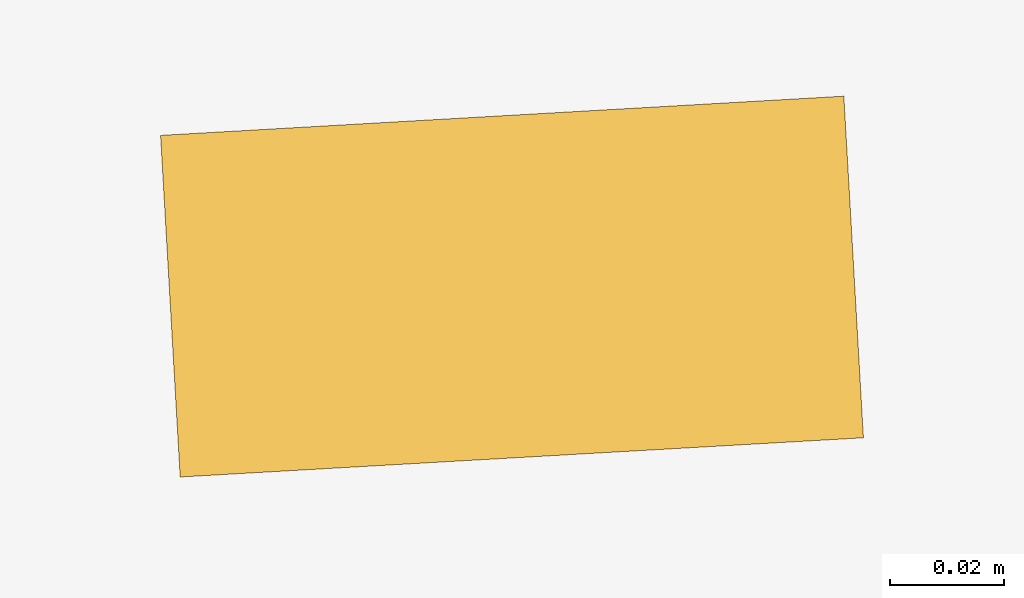
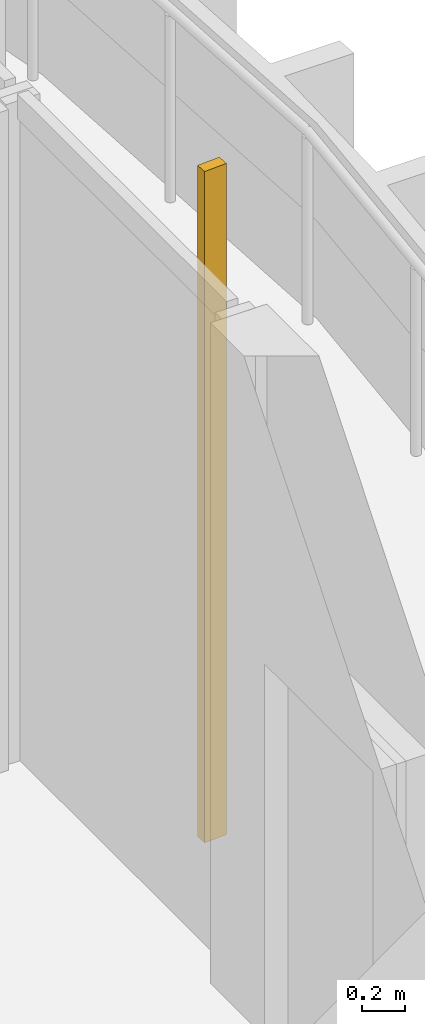
# One storey, part 26 of 28: 1 shading device.
"""IFC4 building model written with IfcOpenShell, lengths in metres."""

from ifc_helpers import new_model, si_unit, direction, frame, origin, origin_2d, place, context, subcontext, project, spatial, rectangle, extrude, source, transform, mapped, material, material_profile, profile_set, type_object, element, save


model = new_model("IFC4")

# Units and contexts
model_context = context("Model", 3, precision=1e-05, world=origin(), true_north=direction((0.0, 1.0)))
body_context = subcontext(model_context, "Body", "Model", "MODEL_VIEW")
ifc_project = project(units=[si_unit("LENGTHUNIT", "METRE"), si_unit("AREAUNIT", "SQUARE_METRE"), si_unit("VOLUMEUNIT", "CUBIC_METRE"), si_unit("PLANEANGLEUNIT", "RADIAN"), si_unit("MASSUNIT", "GRAM", prefix="KILO")], contexts=[model_context])

# Site, building, storey
site_placement = place(None, origin())
site = spatial("IfcSite", under=ifc_project, at=site_placement, CompositionType="ELEMENT")
building_placement = place(site_placement, origin())
building = spatial("IfcBuilding", under=site, at=building_placement, Name="Kilnfold Tower and Market Hall", CompositionType="ELEMENT")
storey_placement = place(building_placement, frame((0.0, 0.0, 75.199951171875)))
storey = spatial("IfcBuildingStorey", under=building, at=storey_placement, Name="L17", CompositionType="ELEMENT", Elevation=75.199951171875)

# Shading device
ifc_material = material(Name="Terracotta", Category="masonry")
ifc_material_profile = material_profile(ifc_material, rectangle(XDim=0.06005859375, YDim=0.1201171875, at=origin_2d()), Name="BAG 60x120")
ifc_profile_set = profile_set([ifc_material_profile], Name="Terracotta")
shading_device_type = type_object("IfcShadingDeviceType", Name="BAGUETTE", PredefinedType="USERDEFINED", material=ifc_profile_set)
shared_shape = source(origin(), body_context, "Body", "SweptSolid", [
    extrude(rectangle(XDim=0.06005859375, YDim=0.1201171875, at=origin_2d()), origin(), (0.0, 0.0, 1.0), 3.780029296875),
])
shading_device_placement = place(storey_placement, frame((33.300048828125, 2.47509765625, 0.0), z_axis=(0.0, 0.0, 1.0), x_axis=(-0.057297432328, 0.998357152651, 0.0)))
element("IfcShadingDevice", 1, at=shading_device_placement, inside=storey, type_object=shading_device_type, Name="Terracotta baguette L17 E", ObjectType="BAGUETTE", PredefinedType="USERDEFINED", context=body_context, shape_type="MappedRepresentation", body=[
    mapped(shared_shape, transform((0.0, 0.0, 0.0))),
])

save(model, "model.ifc")
